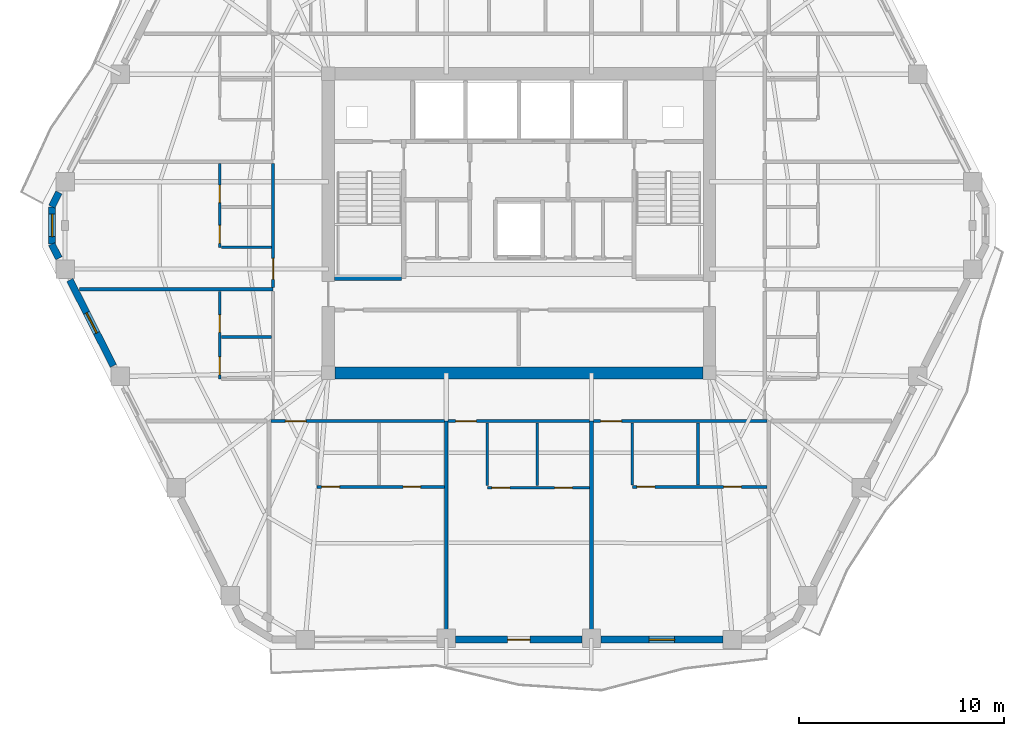
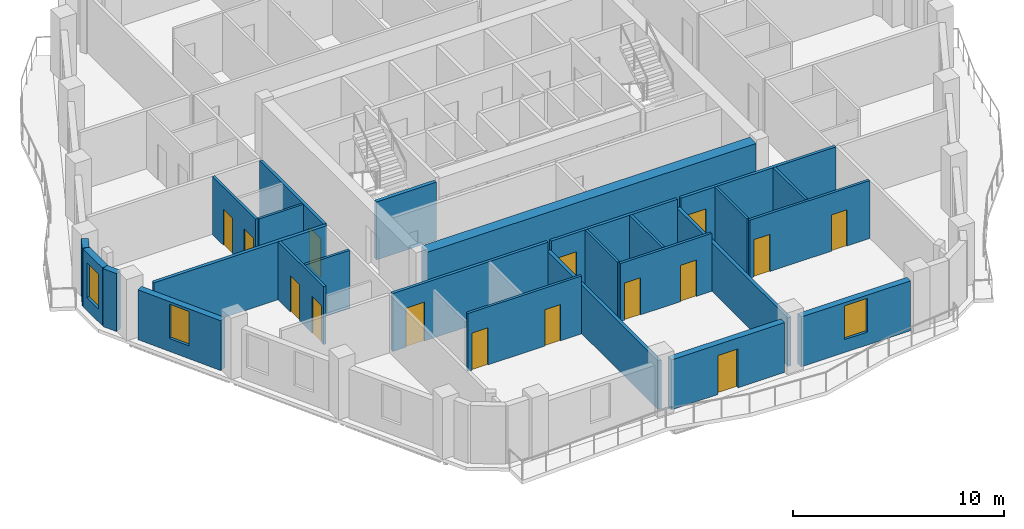
# One storey, part 4 of 10: 26 walls, 15 doors, 3 windows, 18 openings.
"""IFC4 building model written with IfcOpenShell, lengths in metres."""

from ifc_helpers import new_model, si_unit, direction, frame, frame_2d, origin, place, context, subcontext, project, spatial, rectangle, extrude, material, layer, layer_set, type_object, element, fill, save


model = new_model("IFC4")

# Units and contexts
model_context = context("Model", 3, precision=1e-05, world=origin(), true_north=direction((0.0, 1.0)))
body_context = subcontext(model_context, "Body", "Model", "MODEL_VIEW")
ifc_project = project(units=[si_unit("LENGTHUNIT", "METRE"), si_unit("AREAUNIT", "SQUARE_METRE"), si_unit("VOLUMEUNIT", "CUBIC_METRE"), si_unit("PLANEANGLEUNIT", "RADIAN"), si_unit("MASSUNIT", "GRAM", prefix="KILO")], contexts=[model_context])

# Site, building, storey
site_placement = place(None, origin())
site = spatial("IfcSite", under=ifc_project, at=site_placement, CompositionType="ELEMENT")
building_placement = place(site_placement, origin())
building = spatial("IfcBuilding", under=site, at=building_placement, Name="Cinnabar Lancet Tower", CompositionType="ELEMENT")
storey_placement = place(building_placement, frame((0.0, 0.0, 203.85009765625)))
storey = spatial("IfcBuildingStorey", under=building, at=storey_placement, Name="L54", CompositionType="ELEMENT", Elevation=203.85009765625)

# Wall, opening, door
ifc_material_1 = material(Name="Acoustic twin-stud gypsum partition", Category="gypsum")
ifc_layer_1 = layer(ifc_material_1, 0.159912109375)
ifc_layer_set_1 = layer_set([ifc_layer_1], Name="Acoustic twin-stud gypsum partition")
wall_type_1 = type_object("IfcWallType", Name="ARC-WL-CORR-160", PredefinedType="PARTITIONING", material=ifc_layer_set_1)
wall_1_placement = place(storey_placement, frame((20.294921875, 16.25, 0.0), z_axis=(0.0, 0.0, 1.0), x_axis=(1.0, 0.0, 0.0)))
wall_1 = element("IfcWall", 1, at=wall_1_placement, inside=storey, type_object=wall_type_1, Name="L54 Unit S01 Corridor Wall", PredefinedType="PARTITIONING", context=body_context, shape_type="SweptSolid", body=[
    extrude(rectangle(XDim=8.467041015625, YDim=0.159912109375, at=frame_2d((4.2333984375, 0.0))), origin(), (0.0, 0.0, 1.0), 3.349853515625),
])
opening_1_placement = place(wall_1_placement, frame((0.705078125, 0.0, 0.0)))
opening_1 = element("IfcOpeningElement", 2, at=opening_1_placement, cuts=wall_1, Name="Opening UD-01", PredefinedType="OPENING", context=body_context, shape_type="SweptSolid", body=[
    extrude(rectangle(XDim=1.02001953125, YDim=2.25, at=frame_2d((0.510009765625, 1.125))), frame((0.0, 0.08984375, 0.0), z_axis=(0.0, -1.0, 0.0), x_axis=(1.0, 0.0, 0.0)), (0.0, 0.0, 1.0), 0.179931640625),
])
ifc_material_2 = material(Name="Solid timber fire-rated apartment entrance door", Category="wood")
door_type_1 = type_object("IfcDoorType", Name="ARC-DR-UNIT", OperationType="NOTDEFINED", PredefinedType="DOOR", material=ifc_material_2)
door_1_placement = place(opening_1_placement, origin())
door_1 = element("IfcDoor", 3, at=door_1_placement, inside=storey, type_object=door_type_1, Name="DR-L54-S01-ENT", OperationType="SINGLE_SWING_LEFT", OverallHeight=2.25, OverallWidth=1.02001953125, PredefinedType="DOOR", context=body_context, shape_type="SweptSolid", body=[
    extrude(rectangle(XDim=1.02001953125, YDim=2.25, at=frame_2d((0.510009765625, 1.125))), frame((0.0, 0.02490234375, 0.0), z_axis=(0.0, -1.0, 0.0), x_axis=(1.0, 0.0, 0.0)), (0.0, 0.0, 1.0), 0.050048828125),
])
fill(opening_1, door_1)

wall_2_placement = place(storey_placement, frame((28.951904296875, 16.25, 0.0), z_axis=(0.0, 0.0, 1.0), x_axis=(1.0, 0.0, 0.0)))
wall_2 = element("IfcWall", 4, at=wall_2_placement, inside=storey, type_object=wall_type_1, Name="L54 Unit S02 Corridor Wall", PredefinedType="PARTITIONING", context=body_context, shape_type="SweptSolid", body=[
    extrude(rectangle(XDim=6.89599609375, YDim=0.159912109375, at=frame_2d((3.447998046875, 0.0))), origin(), (0.0, 0.0, 1.0), 3.349853515625),
])
opening_2_placement = place(wall_2_placement, frame((0.35498046875, 0.0, 0.0)))
opening_2 = element("IfcOpeningElement", 5, at=opening_2_placement, cuts=wall_2, Name="Opening UD-01", PredefinedType="OPENING", context=body_context, shape_type="SweptSolid", body=[
    extrude(rectangle(XDim=1.02001953125, YDim=2.25, at=frame_2d((0.510009765625, 1.125))), frame((0.0, 0.08984375, 0.0), z_axis=(0.0, -1.0, 0.0), x_axis=(1.0, 0.0, 0.0)), (0.0, 0.0, 1.0), 0.179931640625),
])
door_2_placement = place(opening_2_placement, origin())
door_2 = element("IfcDoor", 6, at=door_2_placement, inside=storey, type_object=door_type_1, Name="DR-L54-S02-ENT", OperationType="SINGLE_SWING_RIGHT", OverallHeight=2.25, OverallWidth=1.02001953125, PredefinedType="DOOR", context=body_context, shape_type="SweptSolid", body=[
    extrude(rectangle(XDim=1.02001953125, YDim=2.25, at=frame_2d((0.510009765625, 1.125))), frame((0.0, 0.02490234375, 0.0), z_axis=(0.0, -1.0, 0.0), x_axis=(1.0, 0.0, 0.0)), (0.0, 0.0, 1.0), 0.050048828125),
])
fill(opening_2, door_2)

wall_3_placement = place(storey_placement, frame((36.0380859375, 16.25, 0.0), z_axis=(0.0, 0.0, 1.0), x_axis=(1.0, 0.0, 0.0)))
wall_3 = element("IfcWall", 7, at=wall_3_placement, inside=storey, type_object=wall_type_1, Name="L54 Unit S03 Corridor Wall", PredefinedType="PARTITIONING", context=body_context, shape_type="SweptSolid", body=[
    extrude(rectangle(XDim=8.466796875, YDim=0.159912109375, at=frame_2d((4.2333984375, 0.0))), origin(), (0.0, 0.0, 1.0), 3.349853515625),
])
opening_3_placement = place(wall_3_placement, frame((0.35498046875, 0.0, 0.0)))
opening_3 = element("IfcOpeningElement", 8, at=opening_3_placement, cuts=wall_3, Name="Opening UD-01", PredefinedType="OPENING", context=body_context, shape_type="SweptSolid", body=[
    extrude(rectangle(XDim=1.02001953125, YDim=2.25, at=frame_2d((0.510009765625, 1.125))), frame((0.0, 0.08984375, 0.0), z_axis=(0.0, -1.0, 0.0), x_axis=(1.0, 0.0, 0.0)), (0.0, 0.0, 1.0), 0.179931640625),
])
door_3_placement = place(opening_3_placement, origin())
door_3 = element("IfcDoor", 9, at=door_3_placement, inside=storey, type_object=door_type_1, Name="DR-L54-S03-ENT", OperationType="SINGLE_SWING_LEFT", OverallHeight=2.25, OverallWidth=1.02001953125, PredefinedType="DOOR", context=body_context, shape_type="SweptSolid", body=[
    extrude(rectangle(XDim=1.02001953125, YDim=2.25, at=frame_2d((0.510009765625, 1.125))), frame((0.0, 0.02490234375, 0.0), z_axis=(0.0, -1.0, 0.0), x_axis=(1.0, 0.0, 0.0)), (0.0, 0.0, 1.0), 0.050048828125),
])
fill(opening_3, door_3)

wall_4_placement = place(storey_placement, frame((20.39990234375, 22.77099609375, 0.0), z_axis=(0.0, 0.0, 1.0), x_axis=(0.0, 1.0, 0.0)))
wall_4 = element("IfcWall", 10, at=wall_4_placement, inside=storey, type_object=wall_type_1, Name="UW-L54-W02-COR", PredefinedType="PARTITIONING", context=body_context, shape_type="SweptSolid", body=[
    extrude(rectangle(XDim=6.047119140625, YDim=0.159912109375, at=frame_2d((3.0234375, 0.0))), origin(), (0.0, 0.0, 1.0), 3.349853515625),
])
opening_4_placement = place(wall_4_placement, frame((0.39990234375, 0.0, 0.0)))
opening_4 = element("IfcOpeningElement", 11, at=opening_4_placement, cuts=wall_4, Name="Opening UD-01", PredefinedType="OPENING", context=body_context, shape_type="SweptSolid", body=[
    extrude(rectangle(XDim=1.02001953125, YDim=2.25, at=frame_2d((0.510009765625, 1.125))), frame((0.0, 0.08984375, 0.0), z_axis=(0.0, -1.0, 0.0), x_axis=(1.0, 0.0, 0.0)), (0.0, 0.0, 1.0), 0.179931640625),
])
door_4_placement = place(opening_4_placement, origin())
door_4 = element("IfcDoor", 12, at=door_4_placement, inside=storey, type_object=door_type_1, Name="DR-L54-W02-ENT", OperationType="SINGLE_SWING_RIGHT", OverallHeight=2.25, OverallWidth=1.02001953125, PredefinedType="DOOR", context=body_context, shape_type="SweptSolid", body=[
    extrude(rectangle(XDim=1.02001953125, YDim=2.25, at=frame_2d((0.510009765625, 1.125))), frame((0.0, 0.02490234375, 0.0), z_axis=(0.0, -1.0, 0.0), x_axis=(1.0, 0.0, 0.0)), (0.0, 0.0, 1.0), 0.050048828125),
])
fill(opening_4, door_4)

# Walls
ifc_material_3 = material(Name="Fire-rated twin-frame acoustic drywall", Category="gypsum")
ifc_layer_2 = layer(ifc_material_3, 0.179931640625)
ifc_layer_set_2 = layer_set([ifc_layer_2], Name="Fire-rated twin-frame acoustic drywall")
wall_type_2 = type_object("IfcWallType", Name="ARC-WL-PARTY-180", PredefinedType="PARTITIONING", material=ifc_layer_set_2)
for number, where, z_axis, x_axis, name in (
    (13, (28.85693359375, 5.7548828125, 0.0), (0.0, 0.0, 1.0), (0.0, 1.0, 0.0), "PW-L54-SPTY-289"),
    (14, (35.943115234375, 5.7548828125, 0.0), (0.0, 0.0, 1.0), (0.0, 1.0, 0.0), "PW-L54-SPTY-359"),
):
    element("IfcWall", number, at=place(storey_placement, frame(where, z_axis=z_axis, x_axis=x_axis)), inside=storey, type_object=wall_type_2, Name=name, PredefinedType="PARTITIONING", context=body_context, shape_type="SweptSolid", body=[
        extrude(rectangle(XDim=10.4951171875, YDim=0.179931640625, at=frame_2d((5.24755859375, 0.0))), origin(), (0.0, 0.0, 1.0), 2.806884765625),
    ])
wall_5_placement = place(storey_placement, frame((10.9599609375, 22.676025390625, 0.0), z_axis=(0.0, 0.0, 1.0), x_axis=(1.0, 0.0, 0.0)))
element("IfcWall", 15, at=wall_5_placement, inside=storey, type_object=wall_type_2, Name="PW-L54-WPTY-1", PredefinedType="PARTITIONING", context=body_context, shape_type="SweptSolid", body=[
    extrude(rectangle(XDim=9.43994140625, YDim=0.179931640625, at=frame_2d((4.719970703125, 0.0))), origin(), (0.0, 0.0, 1.0), 3.349853515625),
])
ifc_material_4 = material(Name="Autoclaved aerated concrete blockwork", Category="masonry")
ifc_layer_3 = layer(ifc_material_4, 0.199951171875)
ifc_layer_set_3 = layer_set([ifc_layer_3], Name="Autoclaved aerated concrete blockwork")
wall_type_3 = type_object("IfcWallType", Name="ARC-WL-SHAFT-200", PredefinedType="PLUMBINGWALL", material=ifc_layer_set_3)
wall_6_placement = place(storey_placement, frame((23.405029296875, 23.199951171875, 0.0), z_axis=(0.0, 0.0, 1.0), x_axis=(1.0, 0.0, 0.0)))
element("IfcWall", 16, at=wall_6_placement, inside=storey, type_object=wall_type_3, Name="CW-ST1S-L54", PredefinedType="PLUMBINGWALL", context=body_context, shape_type="SweptSolid", body=[
    extrude(rectangle(XDim=3.27001953125, YDim=0.199951171875, at=frame_2d((1.635009765625, 0.0))), origin(), (0.0, 0.0, 1.0), 3.349853515625),
])
ifc_material_5 = material(Name="Gypsum plasterboard stud partition", Category="gypsum")
ifc_layer_4 = layer(ifc_material_5, 0.125)
ifc_layer_set_4 = layer_set([ifc_layer_4], Name="Gypsum plasterboard stud partition")
wall_type_4 = type_object("IfcWallType", Name="ARC-WL-UNIT-125", PredefinedType="PARTITIONING", material=ifc_layer_set_4)
wall_7_placement = place(storey_placement, frame((30.85693359375, 13.10205078125, 0.0), z_axis=(0.0, 0.0, 1.0), x_axis=(0.0, 1.0, 0.0)))
element("IfcWall", 17, at=wall_7_placement, inside=storey, type_object=wall_type_4, Name="UW-L54-S02-FOYE", PredefinedType="PARTITIONING", context=body_context, shape_type="SweptSolid", body=[
    extrude(rectangle(XDim=3.06298828125, YDim=0.125, at=frame_2d((1.531494140625, 0.0))), origin(), (0.0, 0.0, 1.0), 3.349853515625),
])
wall_8_placement = place(storey_placement, frame((37.943115234375, 13.138916015625, 0.0), z_axis=(0.0, 0.0, 1.0), x_axis=(0.0, 1.0, 0.0)))
element("IfcWall", 18, at=wall_8_placement, inside=storey, type_object=wall_type_4, Name="UW-L54-S03-FOYE", PredefinedType="PARTITIONING", context=body_context, shape_type="SweptSolid", body=[
    extrude(rectangle(XDim=3.026123046875, YDim=0.125, at=frame_2d((1.51318359375, 0.0))), origin(), (0.0, 0.0, 1.0), 3.349853515625),
])
wall_9_placement = place(storey_placement, frame((17.885009765625, 24.72607421875, 0.0), z_axis=(0.0, 0.0, 1.0), x_axis=(1.0, 0.0, 0.0)))
element("IfcWall", 19, at=wall_9_placement, inside=storey, type_object=wall_type_4, Name="UW-L54-W02-FOYN", PredefinedType="PARTITIONING", context=body_context, shape_type="SweptSolid", body=[
    extrude(rectangle(XDim=2.429931640625, YDim=0.125, at=frame_2d((1.21484375, 0.0))), origin(), (0.0, 0.0, 1.0), 3.349853515625),
])

# Wall, openings, doors
ifc_material_6 = material(Name="Moisture-resistant cement-board plumbing wall", Category="masonry")
ifc_layer_5 = layer(ifc_material_6, 0.139892578125)
ifc_layer_set_5 = layer_set([ifc_layer_5], Name="Moisture-resistant cement-board plumbing wall")
wall_type_5 = type_object("IfcWallType", Name="ARC-WL-WET-140", PredefinedType="PLUMBINGWALL", material=ifc_layer_set_5)
wall_10_placement = place(storey_placement, frame((22.550048828125, 13.033935546875, 0.0), z_axis=(0.0, 0.0, 1.0), x_axis=(1.0, 0.0, 0.0)))
wall_10 = element("IfcWall", 20, at=wall_10_placement, inside=storey, type_object=wall_type_5, Name="UW-L54-S01-SPL", PredefinedType="PLUMBINGWALL", context=body_context, shape_type="SweptSolid", body=[
    extrude(rectangle(XDim=6.2119140625, YDim=0.139892578125, at=frame_2d((3.10595703125, 0.0))), origin(), (0.0, 0.0, 1.0), 3.349853515625),
])
opening_5_placement = place(wall_10_placement, frame((4.195068359375, 0.0, 0.0)))
opening_5 = element("IfcOpeningElement", 21, at=opening_5_placement, cuts=wall_10, Name="Opening BD-01", PredefinedType="OPENING", context=body_context, shape_type="SweptSolid", body=[
    extrude(rectangle(XDim=0.860107421875, YDim=2.10009765625, at=frame_2d((0.43017578125, 1.050048828125))), frame((0.0, 0.079833984375, 0.0), z_axis=(0.0, -1.0, 0.0), x_axis=(1.0, 0.0, 0.0)), (0.0, 0.0, 1.0), 0.159912109375),
])
opening_6_placement = place(wall_10_placement, frame((0.219970703125, 0.0, 0.0)))
opening_6 = element("IfcOpeningElement", 22, at=opening_6_placement, cuts=wall_10, Name="Opening RD-02", PredefinedType="OPENING", context=body_context, shape_type="SweptSolid", body=[
    extrude(rectangle(XDim=0.8798828125, YDim=2.14990234375, at=frame_2d((0.43994140625, 1.074951171875))), frame((0.0, 0.079833984375, 0.0), z_axis=(0.0, -1.0, 0.0), x_axis=(1.0, 0.0, 0.0)), (0.0, 0.0, 1.0), 0.159912109375),
])
ifc_material_7 = material(Name="Moisture-resistant timber bathroom door", Category="wood")
door_type_2 = type_object("IfcDoorType", Name="ARC-DR-BATH", OperationType="NOTDEFINED", PredefinedType="DOOR", material=ifc_material_7)
door_5_placement = place(opening_5_placement, origin())
door_5 = element("IfcDoor", 23, at=door_5_placement, inside=storey, type_object=door_type_2, Name="DR-L54-S01-BTH", OperationType="SINGLE_SWING_LEFT", OverallHeight=2.10009765625, OverallWidth=0.860107421875, PredefinedType="DOOR", context=body_context, shape_type="SweptSolid", body=[
    extrude(rectangle(XDim=0.860107421875, YDim=2.10009765625, at=frame_2d((0.43017578125, 1.050048828125))), frame((0.0, 0.02490234375, 0.0), z_axis=(0.0, -1.0, 0.0), x_axis=(1.0, 0.0, 0.0)), (0.0, 0.0, 1.0), 0.050048828125),
])
fill(opening_5, door_5)
ifc_material_8 = material(Name="Engineered timber study door", Category="wood")
door_type_3 = type_object("IfcDoorType", Name="ARC-DR-STUDY", OperationType="NOTDEFINED", PredefinedType="DOOR", material=ifc_material_8)
door_6_placement = place(opening_6_placement, origin())
door_6 = element("IfcDoor", 24, at=door_6_placement, inside=storey, type_object=door_type_3, Name="DR-L54-S01-KIT", OperationType="SINGLE_SWING_RIGHT", OverallHeight=2.14990234375, OverallWidth=0.8798828125, PredefinedType="DOOR", context=body_context, shape_type="SweptSolid", body=[
    extrude(rectangle(XDim=0.8798828125, YDim=2.14990234375, at=frame_2d((0.43994140625, 1.074951171875))), frame((0.0, 0.02490234375, 0.0), z_axis=(0.0, -1.0, 0.0), x_axis=(1.0, 0.0, 0.0)), (0.0, 0.0, 1.0), 0.050048828125),
])
fill(opening_6, door_6)

wall_11_placement = place(storey_placement, frame((30.85693359375, 12.9970703125, 0.0), z_axis=(0.0, 0.0, 1.0), x_axis=(1.0, 0.0, 0.0)))
wall_11 = element("IfcWall", 25, at=wall_11_placement, inside=storey, type_object=wall_type_5, Name="UW-L54-S02-SPL", PredefinedType="PLUMBINGWALL", context=body_context, shape_type="SweptSolid", body=[
    extrude(rectangle(XDim=4.990966796875, YDim=0.139892578125, at=frame_2d((2.49560546875, 0.0))), origin(), (0.0, 0.0, 1.0), 3.349853515625),
])
opening_7_placement = place(wall_11_placement, frame((3.291015625, 0.0, 0.0)))
opening_7 = element("IfcOpeningElement", 26, at=opening_7_placement, cuts=wall_11, Name="Opening BD-01", PredefinedType="OPENING", context=body_context, shape_type="SweptSolid", body=[
    extrude(rectangle(XDim=0.860107421875, YDim=2.10009765625, at=frame_2d((0.43017578125, 1.050048828125))), frame((0.0, 0.079833984375, 0.0), z_axis=(0.0, -1.0, 0.0), x_axis=(1.0, 0.0, 0.0)), (0.0, 0.0, 1.0), 0.159912109375),
])
opening_8_placement = place(wall_11_placement, frame((0.219970703125, 0.0, 0.0)))
opening_8 = element("IfcOpeningElement", 27, at=opening_8_placement, cuts=wall_11, Name="Opening RD-02", PredefinedType="OPENING", context=body_context, shape_type="SweptSolid", body=[
    extrude(rectangle(XDim=0.8798828125, YDim=2.14990234375, at=frame_2d((0.43994140625, 1.074951171875))), frame((0.0, 0.079833984375, 0.0), z_axis=(0.0, -1.0, 0.0), x_axis=(1.0, 0.0, 0.0)), (0.0, 0.0, 1.0), 0.159912109375),
])
door_7_placement = place(opening_7_placement, origin())
door_7 = element("IfcDoor", 28, at=door_7_placement, inside=storey, type_object=door_type_2, Name="DR-L54-S02-BTH", OperationType="SINGLE_SWING_RIGHT", OverallHeight=2.10009765625, OverallWidth=0.860107421875, PredefinedType="DOOR", context=body_context, shape_type="SweptSolid", body=[
    extrude(rectangle(XDim=0.860107421875, YDim=2.10009765625, at=frame_2d((0.43017578125, 1.050048828125))), frame((0.0, 0.02490234375, 0.0), z_axis=(0.0, -1.0, 0.0), x_axis=(1.0, 0.0, 0.0)), (0.0, 0.0, 1.0), 0.050048828125),
])
fill(opening_7, door_7)
door_8_placement = place(opening_8_placement, origin())
door_8 = element("IfcDoor", 29, at=door_8_placement, inside=storey, type_object=door_type_3, Name="DR-L54-S02-KIT", OperationType="SINGLE_SWING_LEFT", OverallHeight=2.14990234375, OverallWidth=0.8798828125, PredefinedType="DOOR", context=body_context, shape_type="SweptSolid", body=[
    extrude(rectangle(XDim=0.8798828125, YDim=2.14990234375, at=frame_2d((0.43994140625, 1.074951171875))), frame((0.0, 0.02490234375, 0.0), z_axis=(0.0, -1.0, 0.0), x_axis=(1.0, 0.0, 0.0)), (0.0, 0.0, 1.0), 0.050048828125),
])
fill(opening_8, door_8)

# Wall
wall_12_placement = place(storey_placement, frame((33.298095703125, 13.10205078125, 0.0), z_axis=(0.0, 0.0, 1.0), x_axis=(0.0, 1.0, 0.0)))
element("IfcWall", 30, at=wall_12_placement, inside=storey, type_object=wall_type_5, Name="UW-L54-S02-KDV", PredefinedType="PLUMBINGWALL", context=body_context, shape_type="SweptSolid", body=[
    extrude(rectangle(XDim=3.06298828125, YDim=0.139892578125, at=frame_2d((1.531494140625, 0.0))), origin(), (0.0, 0.0, 1.0), 3.349853515625),
])

# Wall, openings, doors
wall_13_placement = place(storey_placement, frame((37.943115234375, 13.033935546875, 0.0), z_axis=(0.0, 0.0, 1.0), x_axis=(1.0, 0.0, 0.0)))
wall_13 = element("IfcWall", 31, at=wall_13_placement, inside=storey, type_object=wall_type_5, Name="UW-L54-S03-SPL", PredefinedType="PLUMBINGWALL", context=body_context, shape_type="SweptSolid", body=[
    extrude(rectangle(XDim=6.561767578125, YDim=0.139892578125, at=frame_2d((3.28076171875, 0.0))), origin(), (0.0, 0.0, 1.0), 3.349853515625),
])
opening_9_placement = place(wall_13_placement, frame((4.4541015625, 0.0, 0.0)))
opening_9 = element("IfcOpeningElement", 32, at=opening_9_placement, cuts=wall_13, Name="Opening BD-01", PredefinedType="OPENING", context=body_context, shape_type="SweptSolid", body=[
    extrude(rectangle(XDim=0.860107421875, YDim=2.10009765625, at=frame_2d((0.43017578125, 1.050048828125))), frame((0.0, 0.079833984375, 0.0), z_axis=(0.0, -1.0, 0.0), x_axis=(1.0, 0.0, 0.0)), (0.0, 0.0, 1.0), 0.159912109375),
])
opening_10_placement = place(wall_13_placement, frame((0.219970703125, 0.0, 0.0)))
opening_10 = element("IfcOpeningElement", 33, at=opening_10_placement, cuts=wall_13, Name="Opening RD-02", PredefinedType="OPENING", context=body_context, shape_type="SweptSolid", body=[
    extrude(rectangle(XDim=0.8798828125, YDim=2.14990234375, at=frame_2d((0.43994140625, 1.074951171875))), frame((0.0, 0.079833984375, 0.0), z_axis=(0.0, -1.0, 0.0), x_axis=(1.0, 0.0, 0.0)), (0.0, 0.0, 1.0), 0.159912109375),
])
door_9_placement = place(opening_9_placement, origin())
door_9 = element("IfcDoor", 34, at=door_9_placement, inside=storey, type_object=door_type_2, Name="DR-L54-S03-BTH", OperationType="SINGLE_SWING_LEFT", OverallHeight=2.10009765625, OverallWidth=0.860107421875, PredefinedType="DOOR", context=body_context, shape_type="SweptSolid", body=[
    extrude(rectangle(XDim=0.860107421875, YDim=2.10009765625, at=frame_2d((0.43017578125, 1.050048828125))), frame((0.0, 0.02490234375, 0.0), z_axis=(0.0, -1.0, 0.0), x_axis=(1.0, 0.0, 0.0)), (0.0, 0.0, 1.0), 0.050048828125),
])
fill(opening_9, door_9)
door_10_placement = place(opening_10_placement, origin())
door_10 = element("IfcDoor", 35, at=door_10_placement, inside=storey, type_object=door_type_3, Name="DR-L54-S03-KIT", OperationType="SINGLE_SWING_RIGHT", OverallHeight=2.14990234375, OverallWidth=0.8798828125, PredefinedType="DOOR", context=body_context, shape_type="SweptSolid", body=[
    extrude(rectangle(XDim=0.8798828125, YDim=2.14990234375, at=frame_2d((0.43994140625, 1.074951171875))), frame((0.0, 0.02490234375, 0.0), z_axis=(0.0, -1.0, 0.0), x_axis=(1.0, 0.0, 0.0)), (0.0, 0.0, 1.0), 0.050048828125),
])
fill(opening_10, door_10)

# Wall
wall_14_placement = place(storey_placement, frame((41.137939453125, 13.138916015625, 0.0), z_axis=(0.0, 0.0, 1.0), x_axis=(0.0, 1.0, 0.0)))
element("IfcWall", 36, at=wall_14_placement, inside=storey, type_object=wall_type_5, Name="UW-L54-S03-KDV", PredefinedType="PLUMBINGWALL", context=body_context, shape_type="SweptSolid", body=[
    extrude(rectangle(XDim=3.026123046875, YDim=0.139892578125, at=frame_2d((1.51318359375, 0.0))), origin(), (0.0, 0.0, 1.0), 3.349853515625),
])

# Wall, openings, doors
wall_15_placement = place(storey_placement, frame((17.800048828125, 18.300048828125, 0.0), z_axis=(0.0, 0.0, 1.0), x_axis=(0.0, 1.0, 0.0)))
wall_15 = element("IfcWall", 37, at=wall_15_placement, inside=storey, type_object=wall_type_5, Name="UW-L54-W01-SPL", PredefinedType="PLUMBINGWALL", context=body_context, shape_type="SweptSolid", body=[
    extrude(rectangle(XDim=4.281005859375, YDim=0.139892578125, at=frame_2d((2.140625, 0.0))), origin(), (0.0, 0.0, 1.0), 3.349853515625),
])
opening_11_placement = place(wall_15_placement, frame((2.27490234375, 0.0, 0.0)))
opening_11 = element("IfcOpeningElement", 38, at=opening_11_placement, cuts=wall_15, Name="Opening BD-01", PredefinedType="OPENING", context=body_context, shape_type="SweptSolid", body=[
    extrude(rectangle(XDim=0.860107421875, YDim=2.10009765625, at=frame_2d((0.43017578125, 1.050048828125))), frame((0.0, 0.079833984375, 0.0), z_axis=(0.0, -1.0, 0.0), x_axis=(1.0, 0.0, 0.0)), (0.0, 0.0, 1.0), 0.159912109375),
])
opening_12_placement = place(wall_15_placement, frame((0.199951171875, 0.0, 0.0)))
opening_12 = element("IfcOpeningElement", 39, at=opening_12_placement, cuts=wall_15, Name="Opening RD-02", PredefinedType="OPENING", context=body_context, shape_type="SweptSolid", body=[
    extrude(rectangle(XDim=0.8798828125, YDim=2.14990234375, at=frame_2d((0.43994140625, 1.074951171875))), frame((0.0, 0.079833984375, 0.0), z_axis=(0.0, -1.0, 0.0), x_axis=(1.0, 0.0, 0.0)), (0.0, 0.0, 1.0), 0.159912109375),
])
door_11_placement = place(opening_11_placement, origin())
door_11 = element("IfcDoor", 40, at=door_11_placement, inside=storey, type_object=door_type_2, Name="DR-L54-W01-BTH", OperationType="SINGLE_SWING_LEFT", OverallHeight=2.10009765625, OverallWidth=0.860107421875, PredefinedType="DOOR", context=body_context, shape_type="SweptSolid", body=[
    extrude(rectangle(XDim=0.860107421875, YDim=2.10009765625, at=frame_2d((0.43017578125, 1.050048828125))), frame((0.0, 0.02490234375, 0.0), z_axis=(0.0, -1.0, 0.0), x_axis=(1.0, 0.0, 0.0)), (0.0, 0.0, 1.0), 0.050048828125),
])
fill(opening_11, door_11)
door_12_placement = place(opening_12_placement, origin())
door_12 = element("IfcDoor", 41, at=door_12_placement, inside=storey, type_object=door_type_3, Name="DR-L54-W01-KIT", OperationType="SINGLE_SWING_RIGHT", OverallHeight=2.14990234375, OverallWidth=0.8798828125, PredefinedType="DOOR", context=body_context, shape_type="SweptSolid", body=[
    extrude(rectangle(XDim=0.8798828125, YDim=2.14990234375, at=frame_2d((0.43994140625, 1.074951171875))), frame((0.0, 0.02490234375, 0.0), z_axis=(0.0, -1.0, 0.0), x_axis=(1.0, 0.0, 0.0)), (0.0, 0.0, 1.0), 0.050048828125),
])
fill(opening_12, door_12)

# Wall
wall_16_placement = place(storey_placement, frame((17.885009765625, 20.35498046875, 0.0), z_axis=(0.0, 0.0, 1.0), x_axis=(1.0, 0.0, 0.0)))
element("IfcWall", 42, at=wall_16_placement, inside=storey, type_object=wall_type_5, Name="UW-L54-W01-KDV", PredefinedType="PLUMBINGWALL", context=body_context, shape_type="SweptSolid", body=[
    extrude(rectangle(XDim=2.429931640625, YDim=0.139892578125, at=frame_2d((1.21484375, 0.0))), origin(), (0.0, 0.0, 1.0), 3.349853515625),
])

# Wall, openings, doors
wall_17_placement = place(storey_placement, frame((17.800048828125, 24.72607421875, 0.0), z_axis=(0.0, 0.0, 1.0), x_axis=(0.0, 1.0, 0.0)))
wall_17 = element("IfcWall", 43, at=wall_17_placement, inside=storey, type_object=wall_type_5, Name="UW-L54-W02-SPL", PredefinedType="PLUMBINGWALL", context=body_context, shape_type="SweptSolid", body=[
    extrude(rectangle(XDim=4.092041015625, YDim=0.139892578125, at=frame_2d((2.0458984375, 0.0))), origin(), (0.0, 0.0, 1.0), 3.349853515625),
])
opening_13_placement = place(wall_17_placement, frame((2.18408203125, 0.0, 0.0)))
opening_13 = element("IfcOpeningElement", 44, at=opening_13_placement, cuts=wall_17, Name="Opening BD-01", PredefinedType="OPENING", context=body_context, shape_type="SweptSolid", body=[
    extrude(rectangle(XDim=0.860107421875, YDim=2.10009765625, at=frame_2d((0.43017578125, 1.050048828125))), frame((0.0, 0.079833984375, 0.0), z_axis=(0.0, -1.0, 0.0), x_axis=(1.0, 0.0, 0.0)), (0.0, 0.0, 1.0), 0.159912109375),
])
opening_14_placement = place(wall_17_placement, frame((0.199951171875, 0.0, 0.0)))
opening_14 = element("IfcOpeningElement", 45, at=opening_14_placement, cuts=wall_17, Name="Opening RD-02", PredefinedType="OPENING", context=body_context, shape_type="SweptSolid", body=[
    extrude(rectangle(XDim=0.8798828125, YDim=2.14990234375, at=frame_2d((0.43994140625, 1.074951171875))), frame((0.0, 0.079833984375, 0.0), z_axis=(0.0, -1.0, 0.0), x_axis=(1.0, 0.0, 0.0)), (0.0, 0.0, 1.0), 0.159912109375),
])
door_13_placement = place(opening_13_placement, origin())
door_13 = element("IfcDoor", 46, at=door_13_placement, inside=storey, type_object=door_type_2, Name="DR-L54-W02-BTH", OperationType="SINGLE_SWING_RIGHT", OverallHeight=2.10009765625, OverallWidth=0.860107421875, PredefinedType="DOOR", context=body_context, shape_type="SweptSolid", body=[
    extrude(rectangle(XDim=0.860107421875, YDim=2.10009765625, at=frame_2d((0.43017578125, 1.050048828125))), frame((0.0, 0.02490234375, 0.0), z_axis=(0.0, -1.0, 0.0), x_axis=(1.0, 0.0, 0.0)), (0.0, 0.0, 1.0), 0.050048828125),
])
fill(opening_13, door_13)
door_14_placement = place(opening_14_placement, origin())
door_14 = element("IfcDoor", 47, at=door_14_placement, inside=storey, type_object=door_type_3, Name="DR-L54-W02-KIT", OperationType="SINGLE_SWING_LEFT", OverallHeight=2.14990234375, OverallWidth=0.8798828125, PredefinedType="DOOR", context=body_context, shape_type="SweptSolid", body=[
    extrude(rectangle(XDim=0.8798828125, YDim=2.14990234375, at=frame_2d((0.43994140625, 1.074951171875))), frame((0.0, 0.02490234375, 0.0), z_axis=(0.0, -1.0, 0.0), x_axis=(1.0, 0.0, 0.0)), (0.0, 0.0, 1.0), 0.050048828125),
])
fill(opening_14, door_14)

# Wall, opening, window
ifc_material_9 = material(Name="Cinnabar red clay brick", Category="masonry")
ifc_layer_6 = layer(ifc_material_9, 0.340087890625)
ifc_layer_set_6 = layer_set([ifc_layer_6], Name="Cinnabar red clay brick")
wall_type_6 = type_object("IfcWallType", Name="ENV-WL-BRK-RED-340", PredefinedType="STANDARD", material=ifc_layer_set_6)
wall_18_placement = place(storey_placement, frame((9.6220703125, 26.7080078125, 0.0), z_axis=(0.0, 0.0, 1.0), x_axis=(0.0, -1.0, 0.0)))
wall_18 = element("IfcWall", 48, at=wall_18_placement, inside=storey, type_object=wall_type_6, Name="L54 Chamfered Corner Brick Pier 6.1", PredefinedType="STANDARD", context=body_context, shape_type="SweptSolid", body=[
    extrude(rectangle(XDim=1.81591796875, YDim=0.340087890625, at=frame_2d((0.907958984375, 0.0))), origin(), (0.0, 0.0, 1.0), 3.349853515625),
])
opening_15_placement = place(wall_18_placement, frame((0.35791015625, 0.0, 0.75)))
opening_15 = element("IfcOpeningElement", 49, at=opening_15_placement, cuts=wall_18, Name="Opening WN-04", PredefinedType="OPENING", context=body_context, shape_type="SweptSolid", body=[
    extrude(rectangle(XDim=1.10009765625, YDim=2.0, at=frame_2d((0.550048828125, 1.0))), frame((0.0, 0.179931640625, 0.0), z_axis=(0.0, -1.0, 0.0), x_axis=(1.0, 0.0, 0.0)), (0.0, 0.0, 1.0), 0.360107421875),
])
ifc_material_10 = material(Name="Thermally broken bronze-anodized aluminium tall lancet window", Category="aluminium")
window_type_1 = type_object("IfcWindowType", Name="ENV-WN-LANCET-1100", PartitioningType="SINGLE_PANEL", PredefinedType="WINDOW", material=ifc_material_10)
window_1_placement = place(opening_15_placement, origin())
window_1 = element("IfcWindow", 50, at=window_1_placement, inside=storey, type_object=window_type_1, Name="L54 Dwelling Gothic Lancet Window 331", OverallHeight=2.0, OverallWidth=1.10009765625, PartitioningType="SINGLE_PANEL", PredefinedType="WINDOW", context=body_context, shape_type="SweptSolid", body=[
    extrude(rectangle(XDim=1.10009765625, YDim=2.0, at=frame_2d((0.550048828125, 1.0))), frame((0.0, 0.030029296875, 0.0), z_axis=(0.0, -1.0, 0.0), x_axis=(1.0, 0.0, 0.0)), (0.0, 0.0, 1.0), 0.06005859375),
])
fill(opening_15, window_1)

# Wall, opening, door
wall_19_placement = place(storey_placement, frame((29.31103515625, 5.580078125, 0.0), z_axis=(0.0, 0.0, 1.0), x_axis=(1.0, 0.0, 0.0)))
wall_19 = element("IfcWall", 51, at=wall_19_placement, inside=storey, type_object=wall_type_6, Name="L54 Face 1 Masonry Bay Wall 3", PredefinedType="STANDARD", context=body_context, shape_type="SweptSolid", body=[
    extrude(rectangle(XDim=6.177978515625, YDim=0.340087890625, at=frame_2d((3.0888671875, 0.0))), origin(), (0.0, 0.0, 1.0), 2.8828125),
])
opening_16_placement = place(wall_19_placement, frame((2.5390625, 0.0, 0.0)))
opening_16 = element("IfcOpeningElement", 52, at=opening_16_placement, cuts=wall_19, Name="Opening TD-01", PredefinedType="OPENING", context=body_context, shape_type="SweptSolid", body=[
    extrude(rectangle(XDim=1.10009765625, YDim=2.25, at=frame_2d((0.550048828125, 1.125))), frame((0.0, 0.179931640625, 0.0), z_axis=(0.0, -1.0, 0.0), x_axis=(1.0, 0.0, 0.0)), (0.0, 0.0, 1.0), 0.360107421875),
])
ifc_material_11 = material(Name="Thermally broken low-E glazed balcony terrace door", Category="wood")
door_type_4 = type_object("IfcDoorType", Name="ARC-DR-BALC", OperationType="NOTDEFINED", PredefinedType="DOOR", material=ifc_material_11)
door_15_placement = place(opening_16_placement, origin())
door_15 = element("IfcDoor", 53, at=door_15_placement, inside=storey, type_object=door_type_4, Name="L54 Face 1 Glazed Terrace Door", OperationType="SINGLE_SWING_RIGHT", OverallHeight=2.25, OverallWidth=1.10009765625, PredefinedType="DOOR", context=body_context, shape_type="SweptSolid", body=[
    extrude(rectangle(XDim=1.10009765625, YDim=2.25, at=frame_2d((0.550048828125, 1.125))), frame((0.0, 0.02490234375, 0.0), z_axis=(0.0, -1.0, 0.0), x_axis=(1.0, 0.0, 0.0)), (0.0, 0.0, 1.0), 0.050048828125),
])
fill(opening_16, door_15)

# Wall, opening, window
wall_20_placement = place(storey_placement, frame((36.39697265625, 5.580078125, 0.0), z_axis=(0.0, 0.0, 1.0), x_axis=(1.0, 0.0, 0.0)))
wall_20 = element("IfcWall", 54, at=wall_20_placement, inside=storey, type_object=wall_type_6, Name="L54 Face 1 Masonry Bay Wall 4", PredefinedType="STANDARD", context=body_context, shape_type="SweptSolid", body=[
    extrude(rectangle(XDim=5.969970703125, YDim=0.340087890625, at=frame_2d((2.98486328125, 0.0))), origin(), (0.0, 0.0, 1.0), 2.8828125),
])
opening_17_placement = place(wall_20_placement, frame((2.360107421875, 0.0, 0.75)))
opening_17 = element("IfcOpeningElement", 55, at=opening_17_placement, cuts=wall_20, Name="Opening WN-03", PredefinedType="OPENING", context=body_context, shape_type="SweptSolid", body=[
    extrude(rectangle(XDim=1.25, YDim=1.949951171875, at=frame_2d((0.625, 0.97509765625))), frame((0.0, 0.179931640625, 0.0), z_axis=(0.0, -1.0, 0.0), x_axis=(1.0, 0.0, 0.0)), (0.0, 0.0, 1.0), 0.360107421875),
])
ifc_material_12 = material(Name="Thermally broken bronze-anodized aluminium low-E double glazing", Category="aluminium")
window_type_2 = type_object("IfcWindowType", Name="ENV-WN-LANCET-1250", PartitioningType="SINGLE_PANEL", PredefinedType="WINDOW", material=ifc_material_12)
window_2_placement = place(opening_17_placement, origin())
window_2 = element("IfcWindow", 56, at=window_2_placement, inside=storey, type_object=window_type_2, Name="L54 Face 1 Gothic Lancet Window 4", OverallHeight=1.949951171875, OverallWidth=1.25, PartitioningType="SINGLE_PANEL", PredefinedType="WINDOW", context=body_context, shape_type="SweptSolid", body=[
    extrude(rectangle(XDim=1.25, YDim=1.949951171875, at=frame_2d((0.625, 0.97509765625))), frame((0.0, 0.030029296875, 0.0), z_axis=(0.0, -1.0, 0.0), x_axis=(1.0, 0.0, 0.0)), (0.0, 0.0, 1.0), 0.06005859375),
])
fill(opening_17, window_2)

# Walls
for number, where, z_axis, x_axis, name in (
    (57, (9.948974609375, 27.403076171875, 0.0), (0.0, 0.0, 1.0), (-0.451262448184, -0.892391283496, 0.0), "L54 Face 5 Masonry Bay Wall 5"),
    (58, (9.60107421875, 24.885009765625, 0.0), (0.0, 0.0, 1.0), (0.451262448184, -0.892391283496, 0.0), "L54 Face 6 Masonry Bay Wall 1"),
):
    element("IfcWall", number, at=place(storey_placement, frame(where, z_axis=z_axis, x_axis=x_axis)), inside=storey, type_object=wall_type_6, Name=name, PredefinedType="STANDARD", context=body_context, shape_type="SweptSolid", body=[
        extrude(rectangle(XDim=0.77099609375, YDim=0.340087890625, at=frame_2d((0.385498046875, 0.0))), origin(), (0.0, 0.0, 1.0), 3.349853515625),
    ])

# Wall, opening, window
wall_21_placement = place(storey_placement, frame((10.485107421875, 23.136962890625, 0.0), z_axis=(0.0, 0.0, 1.0), x_axis=(0.451447222193, -0.892297823361, 0.0)))
wall_21 = element("IfcWall", 59, at=wall_21_placement, inside=storey, type_object=wall_type_6, Name="L54 Face 6 Masonry Bay Wall 2", PredefinedType="STANDARD", context=body_context, shape_type="SweptSolid", body=[
    extrude(rectangle(XDim=4.699951171875, YDim=0.340087890625, at=frame_2d((2.35009765625, 0.0))), origin(), (0.0, 0.0, 1.0), 2.8828125),
])
opening_18_placement = place(wall_21_placement, frame((1.800048828125, 0.0, 0.75)))
opening_18 = element("IfcOpeningElement", 60, at=opening_18_placement, cuts=wall_21, Name="Opening WN-04", PredefinedType="OPENING", context=body_context, shape_type="SweptSolid", body=[
    extrude(rectangle(XDim=1.10009765625, YDim=1.98291015625, at=frame_2d((0.550048828125, 0.991455078125))), frame((0.0, 0.179931640625, 0.0), z_axis=(0.0, -1.0, 0.0), x_axis=(1.0, 0.0, 0.0)), (0.0, 0.0, 1.0), 0.360107421875),
])
window_3_placement = place(opening_18_placement, origin())
window_3 = element("IfcWindow", 61, at=window_3_placement, inside=storey, type_object=window_type_1, Name="L54 Face 6 Gothic Lancet Window 2", OverallHeight=1.98291015625, OverallWidth=1.10009765625, PartitioningType="SINGLE_PANEL", PredefinedType="WINDOW", context=body_context, shape_type="SweptSolid", body=[
    extrude(rectangle(XDim=1.10009765625, YDim=1.98291015625, at=frame_2d((0.550048828125, 0.991455078125))), frame((0.0, 0.030029296875, 0.0), z_axis=(0.0, -1.0, 0.0), x_axis=(1.0, 0.0, 0.0)), (0.0, 0.0, 1.0), 0.06005859375),
])
fill(opening_18, window_3)

# Wall
ifc_material_13 = material(Name="Concrete C60/75", Category="concrete")
ifc_layer_7 = layer(ifc_material_13, 0.60009765625)
ifc_layer_set_7 = layer_set([ifc_layer_7], Name="Concrete C60/75")
wall_type_7 = type_object("IfcWallType", Name="STR-WL-CORE-600", PredefinedType="SHEAR", material=ifc_layer_set_7)
wall_22_placement = place(storey_placement, frame((23.425048828125, 18.60009765625, 0.0), z_axis=(0.0, 0.0, 1.0), x_axis=(1.0, 0.0, 0.0)))
element("IfcWall", 62, at=wall_22_placement, inside=storey, type_object=wall_type_7, Name="L54 Core Shear Wall S", PredefinedType="SHEAR", context=body_context, shape_type="SweptSolid", body=[
    extrude(rectangle(XDim=17.949951171875, YDim=0.60009765625, at=frame_2d((8.97509765625, 0.0))), origin(), (0.0, 0.0, 1.0), 3.349853515625),
])

save(model, "model.ifc")
